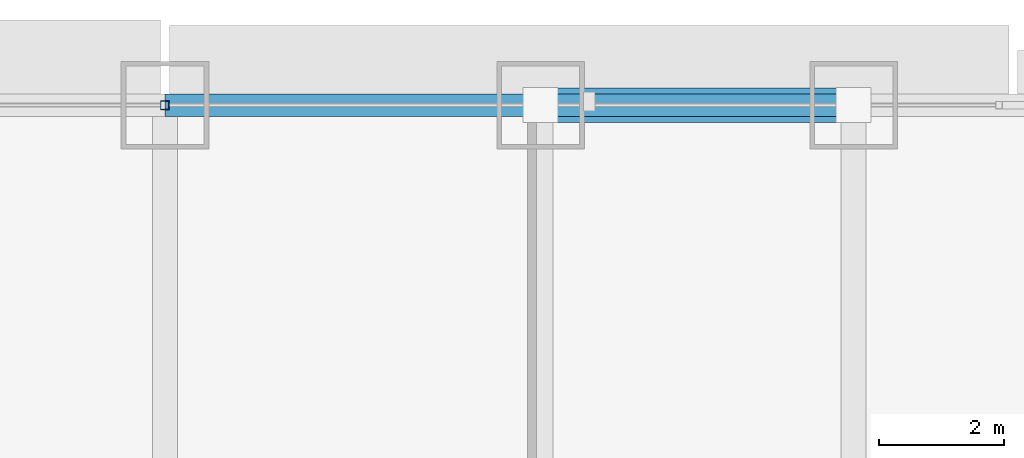
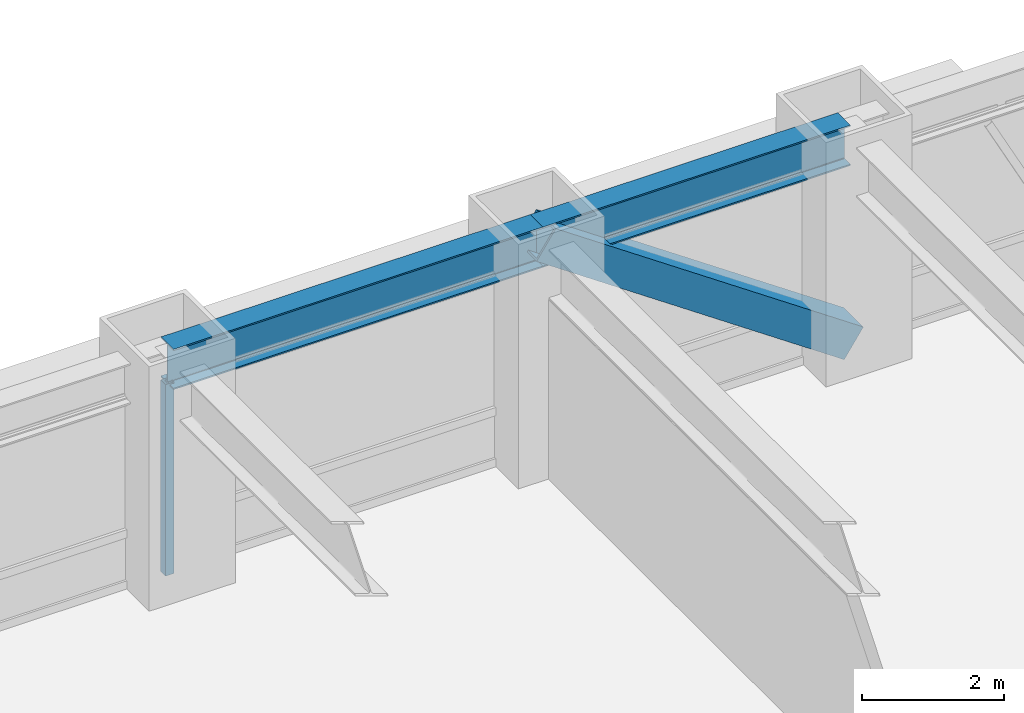
# One storey, part 19 of 32: 2 beams, 2 members, 1 element without a shape of its own.
"""IFC4 building model written with IfcOpenShell, lengths in metres."""

from ifc_helpers import new_model, si_unit, direction, frame, origin, origin_2d, place, context, subcontext, project, spatial, hollow_rectangle, i_section, extrude, source, transform, mapped, material, material_profile, profile_set, type_object, element, aggregate, save


model = new_model("IFC4")

# Units and contexts
model_context = context("Model", 3, precision=1e-05, world=origin(), true_north=direction((0.0, 1.0)))
body_context = subcontext(model_context, "Body", "Model", "MODEL_VIEW")
ifc_project = project(units=[si_unit("LENGTHUNIT", "METRE"), si_unit("AREAUNIT", "SQUARE_METRE"), si_unit("VOLUMEUNIT", "CUBIC_METRE"), si_unit("PLANEANGLEUNIT", "RADIAN"), si_unit("MASSUNIT", "GRAM", prefix="KILO")], contexts=[model_context])

# Site, building, storey
site_placement = place(None, origin())
site = spatial("IfcSite", under=ifc_project, at=site_placement, CompositionType="ELEMENT")
building_placement = place(site_placement, origin())
building = spatial("IfcBuilding", under=site, at=building_placement, Name="Khorayat Bourse Tower", CompositionType="ELEMENT")
storey_placement = place(building_placement, frame((0.0, 0.0, 74.60009765625)))
storey = spatial("IfcBuildingStorey", under=building, at=storey_placement, Name="L16", CompositionType="ELEMENT", Elevation=74.60009765625)

# Beams
ifc_material_1 = material(Name="Steel ASTM A992 Grade 50", Category="steel")
ifc_material_profile_1 = material_profile(ifc_material_1, i_section(OverallWidth=0.35498046875, OverallDepth=0.695068359375, WebThickness=0.015380859375, FlangeThickness=0.02490234375, FilletRadius=0.01806640625, at=origin_2d()), Name="W690X217")
ifc_profile_set_1 = profile_set([ifc_material_profile_1], Name="Steel ASTM A992 Grade 50")
beam_type = type_object("IfcBeamType", Name="BM-SPAN-690", PredefinedType="SPANDREL", material=ifc_profile_set_1)
shared_shape_1 = source(origin(), body_context, "Body", "SweptSolid", [
    extrude(i_section(OverallWidth=0.35498046875, OverallDepth=0.695068359375, WebThickness=0.015380859375, FlangeThickness=0.02490234375, FilletRadius=0.01806640625, at=origin_2d()), origin(), (0.0, 0.0, 1.0), 5.0),
])
beam_1_placement = place(storey_placement, frame((6.0, 32.0, 3.59228515625), z_axis=(1.0, 0.0, 0.0), x_axis=(0.0, 1.0, 0.0)))
element("IfcBeam", 1, at=beam_1_placement, inside=storey, type_object=beam_type, Name="L16 BM-SPAN-690 BM-L16-SPN-046", PredefinedType="SPANDREL", context=body_context, shape_type="MappedRepresentation", body=[
    mapped(shared_shape_1, transform((0.0, 0.0, 0.0), scale=1.0)),
])
shared_shape_2 = source(origin(), body_context, "Body", "SweptSolid", [
    extrude(i_section(OverallWidth=0.35498046875, OverallDepth=0.695068359375, WebThickness=0.015380859375, FlangeThickness=0.02490234375, FilletRadius=0.01806640625, at=origin_2d()), origin(), (0.0, 0.0, 1.0), 6.0),
])
beam_2_placement = place(storey_placement, frame((0.0, 32.0, 3.59228515625), z_axis=(1.0, 0.0, 0.0), x_axis=(0.0, 1.0, 0.0)))
element("IfcBeam", 2, at=beam_2_placement, inside=storey, type_object=beam_type, Name="L16 BM-SPAN-690 BM-L16-SPN-047", PredefinedType="SPANDREL", context=body_context, shape_type="MappedRepresentation", body=[
    mapped(shared_shape_2, transform((0.0, 0.0, 0.0), scale=1.0)),
])

# Member
ifc_material_2 = material(Name="Steel EN 10025-4 S460M", Category="steel")
ifc_material_profile_2 = material_profile(ifc_material_2, hollow_rectangle(XDim=0.550048828125, YDim=0.550048828125, WallThickness=0.031982421875, at=origin_2d()), Name="HSS 550x550x32")
ifc_profile_set_2 = profile_set([ifc_material_profile_2], Name="Steel EN 10025-4 S460M")
member_type_1 = type_object("IfcMemberType", Name="MBR-TUBE-550", PredefinedType="BRACE", material=ifc_profile_set_2)
shared_shape_3 = source(origin(), body_context, "Body", "SweptSolid", [
    extrude(hollow_rectangle(XDim=0.550048828125, YDim=0.550048828125, WallThickness=0.031982421875, at=origin_2d()), origin(), (0.0, 0.0, 1.0), 6.069091796875),
])
member_1_placement = place(storey_placement, frame((6.0, 32.0, 3.68994140625), z_axis=(0.823854080622, 0.0, -0.566801952928), x_axis=(0.0, 1.0, 0.0)))
element("IfcMember", 3, at=member_1_placement, inside=storey, type_object=member_type_1, Name="L16 Perimeter Tube Brace 04", PredefinedType="BRACE", context=body_context, shape_type="MappedRepresentation", body=[
    mapped(shared_shape_3, transform((0.0, 0.0, 0.0), scale=1.0)),
])

# Curtain wall, member
ifc_material_3 = material(Name="Aluminium EN AW-6063 T6", Category="aluminium")
curtain_wall_type = type_object("IfcCurtainWallType", Name="CW-SYS-02", PredefinedType="NOTDEFINED", material=ifc_material_3)
curtain_wall_placement = place(storey_placement, origin())
curtain_wall = element("IfcCurtainWall", 4, at=curtain_wall_placement, inside=storey, type_object=curtain_wall_type, Name="L16 Curtain Wall CW-L16-N1", PredefinedType="NOTDEFINED")
ifc_material_profile_3 = material_profile(ifc_material_3, hollow_rectangle(XDim=0.139892578125, YDim=0.139892578125, WallThickness=0.006103515625, at=origin_2d()), Name="ALU 140x140x6")
ifc_profile_set_3 = profile_set([ifc_material_profile_3], Name="Aluminium EN AW-6063 T6")
member_type_2 = type_object("IfcMemberType", Name="CWM-VERT-140", PredefinedType="MULLION", material=ifc_profile_set_3)
shared_shape_4 = source(origin(), body_context, "Body", "SweptSolid", [
    extrude(hollow_rectangle(XDim=0.139892578125, YDim=0.139892578125, WallThickness=0.006103515625, at=origin_2d()), origin(), (0.0, 0.0, 1.0), 3.289794921875),
])
member_2_placement = place(storey_placement, frame((0.0, 32.0, 0.0), z_axis=(0.0, 0.0, 1.0), x_axis=(0.0, 1.0, 0.0)))
member_2 = element("IfcMember", 5, at=member_2_placement, type_object=member_type_2, Name="CW-L16-N1 Vertical Mullion 2", PredefinedType="MULLION", context=body_context, shape_type="MappedRepresentation", body=[
    mapped(shared_shape_4, transform((0.0, 0.0, 0.0), scale=1.0)),
])
aggregate(curtain_wall, [member_2])

save(model, "model.ifc")
